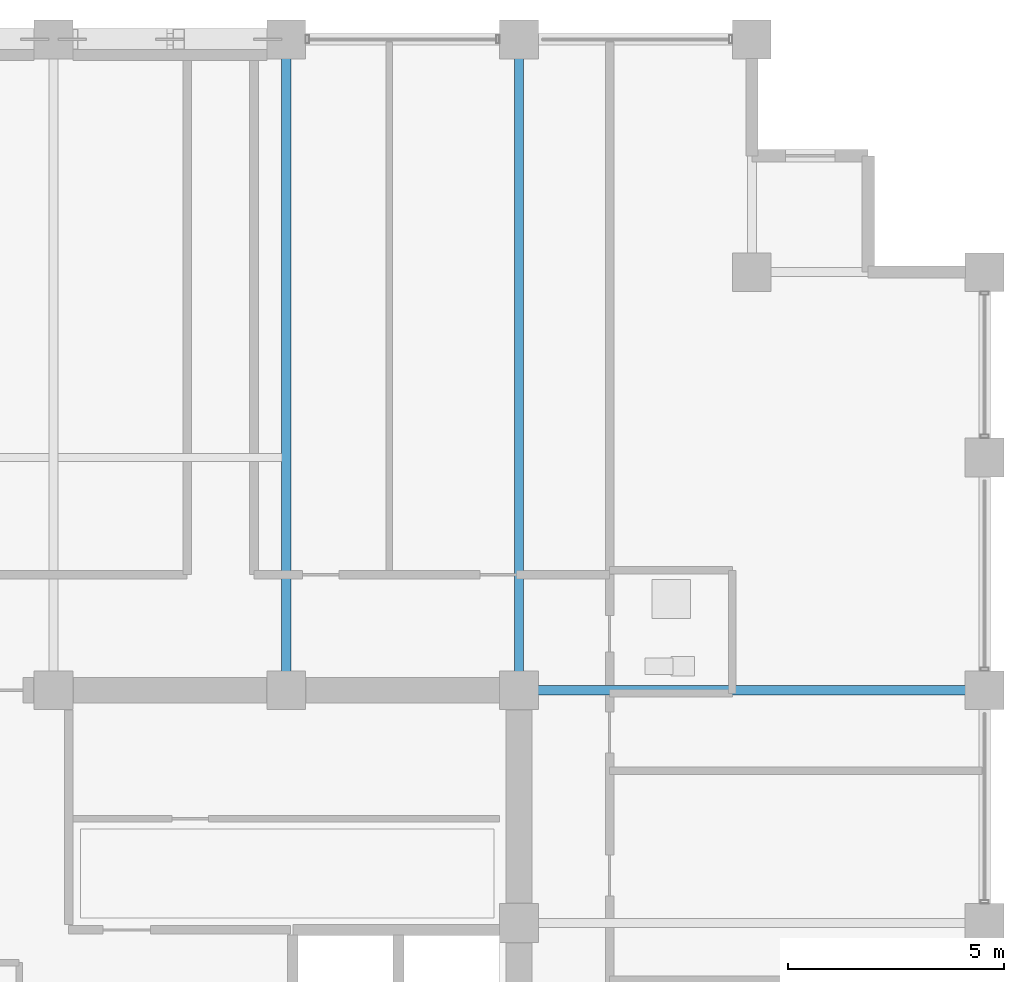
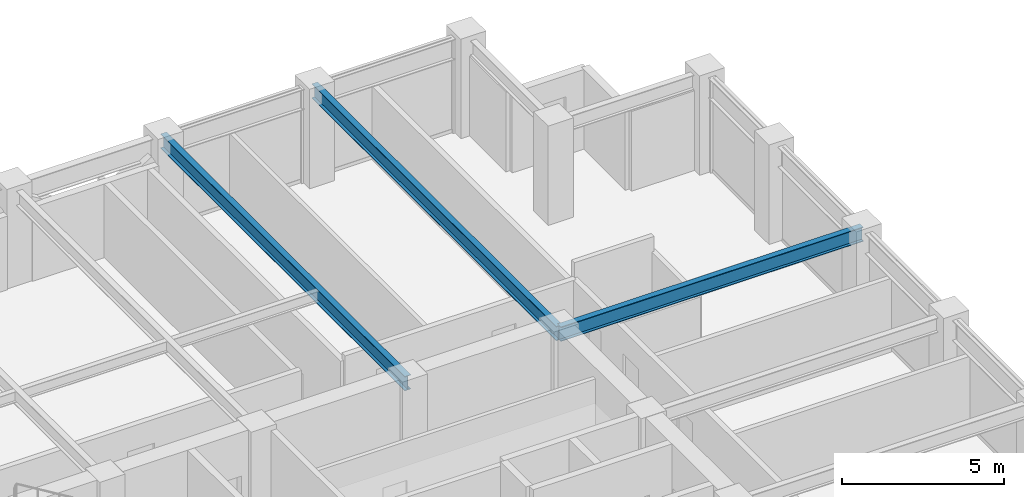
# One storey, part 22 of 32: 3 beams.
"""IFC4 building model written with IfcOpenShell, lengths in metres."""

from ifc_helpers import new_model, si_unit, direction, frame, origin, origin_2d, place, context, subcontext, project, spatial, i_section, extrude, material, material_profile, profile_set, type_object, element, save


model = new_model("IFC4")

# Units and contexts
model_context = context("Model", 3, precision=1e-05, world=origin(), true_north=direction((0.0, 1.0)))
body_context = subcontext(model_context, "Body", "Model", "MODEL_VIEW")
ifc_project = project(units=[si_unit("LENGTHUNIT", "METRE"), si_unit("AREAUNIT", "SQUARE_METRE"), si_unit("VOLUMEUNIT", "CUBIC_METRE"), si_unit("PLANEANGLEUNIT", "RADIAN"), si_unit("MASSUNIT", "GRAM", prefix="KILO")], contexts=[model_context])

# Site, building, storey
site_placement = place(None, origin())
site = spatial("IfcSite", under=ifc_project, at=site_placement, CompositionType="ELEMENT")
building_placement = place(site_placement, origin())
building = spatial("IfcBuilding", under=site, at=building_placement, Name="Surkhivell Harbour Commons", CompositionType="ELEMENT")
storey_placement = place(building_placement, frame((0.0, 0.0, 201.0)))
storey = spatial("IfcBuildingStorey", under=building, at=storey_placement, Name="L52", CompositionType="ELEMENT", Elevation=201.0)

# Beams
ifc_material = material(Name="Steel S355", Category="steel")
ifc_material_profile = material_profile(ifc_material, i_section(OverallWidth=0.2119140625, OverallDepth=0.5439453125, WebThickness=0.0126953125, FlangeThickness=0.021240234375, at=origin_2d()), Name="UB533x210x122")
ifc_profile_set = profile_set([ifc_material_profile], Name="Steel S355")
beam_type = type_object("IfcBeamType", Name="BM-GRD-533A", PredefinedType="BEAM", material=ifc_profile_set)
for number, where, z_axis, x_axis, name in (
    (1, (5.39990234375, 10.800048828125, 3.298095703125), (0.0, 1.0, 0.0), (-1.0, 0.0, 0.0), "L52 Floor Girder (5.4,10.8)"),
    (2, (10.800048828125, 10.800048828125, 3.298095703125), (0.0, 1.0, 0.0), (-1.0, 0.0, 0.0), "L52 Floor Girder (10.8,10.8)"),
):
    element("IfcBeam", number, at=place(storey_placement, frame(where, z_axis=z_axis, x_axis=x_axis)), inside=storey, type_object=beam_type, Name=name, PredefinedType="BEAM", context=body_context, shape_type="SweptSolid", body=[
        extrude(i_section(OverallWidth=0.2119140625, OverallDepth=0.5439453125, WebThickness=0.0126953125, FlangeThickness=0.021240234375, at=origin_2d()), origin(), (0.0, 0.0, 1.0), 15.099853515625),
    ])
beam_placement = place(storey_placement, frame((10.800048828125, 10.800048828125, 3.298095703125), z_axis=(1.0, 0.0, 0.0), x_axis=(0.0, 1.0, 0.0)))
element("IfcBeam", 3, at=beam_placement, inside=storey, type_object=beam_type, Name="L52 Floor Girder (10.8,10.8)", PredefinedType="BEAM", context=body_context, shape_type="SweptSolid", body=[
    extrude(i_section(OverallWidth=0.2119140625, OverallDepth=0.5439453125, WebThickness=0.0126953125, FlangeThickness=0.021240234375, at=origin_2d()), origin(), (0.0, 0.0, 1.0), 10.800048828125),
])

save(model, "model.ifc")
